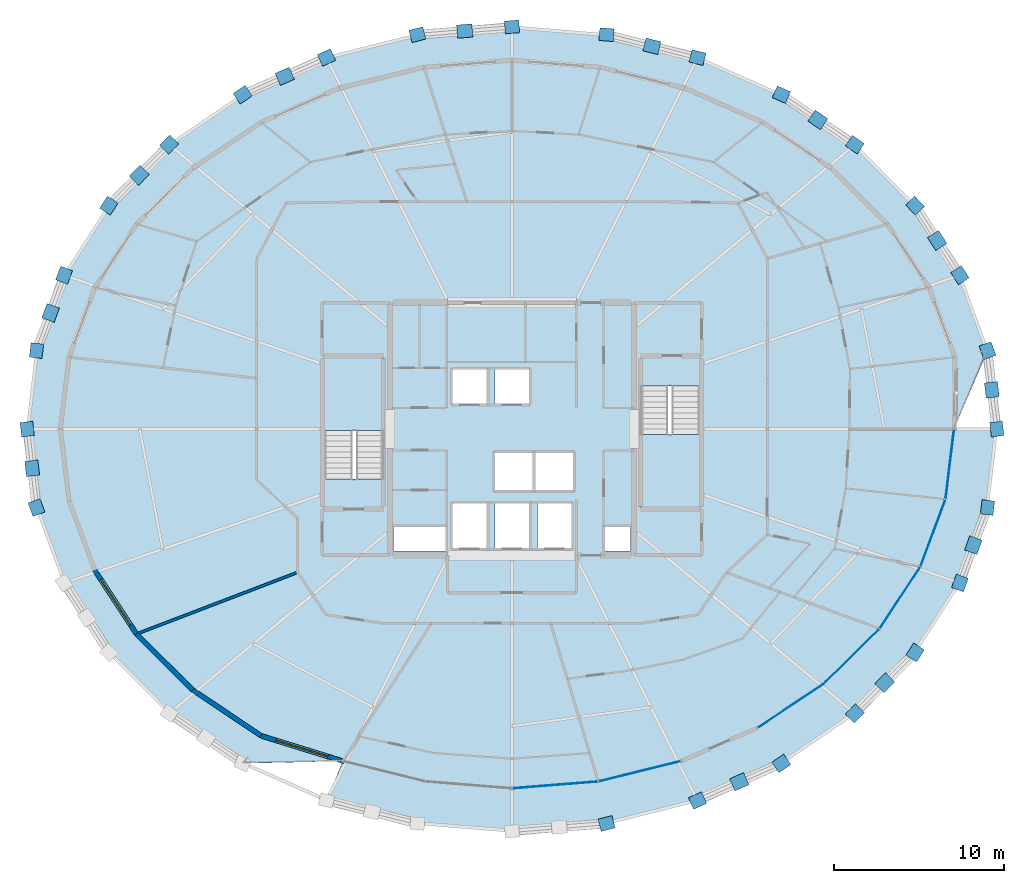
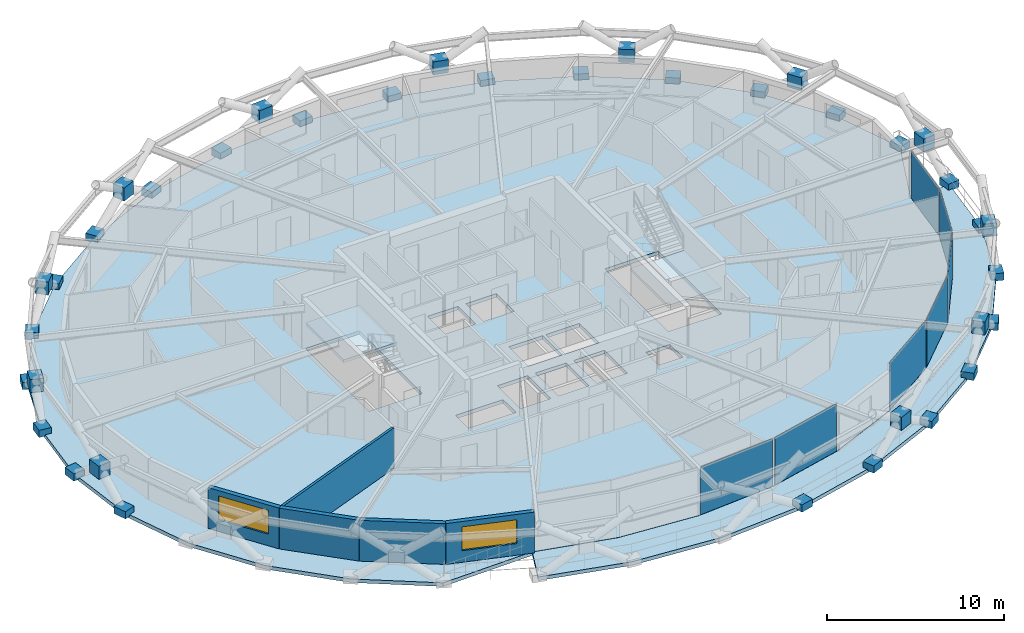
# One storey, part 13 of 21: 44 plates, 5 walls, 4 slabs, 2 windows, 2 openings, 4 elements without a shape of their own.
"""IFC4 building model written with IfcOpenShell, lengths in metres."""

import ifcopenshell
import ifcopenshell.guid

model = None  # the IFC model being written
_history = None  # IfcOwnerHistory: only IFC2X3 demands one
_inside = {}  # id of a spatial element -> (the spatial element, [elements in it])
_under = {}  # id of a project, library or spatial element -> (it, [spatial elements below it])
_declared = {}  # id of a project -> (the project, [libraries it declares])
_typed = {}  # id of a type object -> (the type object, [elements of that type])
_made_of = {}  # id of a material, layer set ... -> (it, [elements and type objects made of it])


def new_model(schema):
    """Start an empty IFC model of exactly this schema.

    Asked for "IFC4X3", IfcOpenShell would pick the latest addendum, in which some entities
    have other attributes; the version numbers below select the first issue.
    IFC2X3 requires an IfcOwnerHistory on every rooted entity: one is made here for all.
    """
    global model, _history
    if schema == "IFC4X3":
        model = ifcopenshell.file(schema_version=(4, 3, 0, 0))
    else:
        model = ifcopenshell.file(schema=schema)
    _inside.clear()
    _under.clear()
    _declared.clear()
    _typed.clear()
    _made_of.clear()
    _history = None
    if model.schema == "IFC2X3":
        org = make("IfcOrganization", Name="unknown")
        user = make(
            "IfcPersonAndOrganization",
            ThePerson=make("IfcPerson", FamilyName="unknown"),
            TheOrganization=org,
        )
        app = make(
            "IfcApplication",
            ApplicationDeveloper=org,
            Version="unknown",
            ApplicationFullName="unknown",
            ApplicationIdentifier="unknown",
        )
        _history = make(
            "IfcOwnerHistory",
            OwningUser=user,
            OwningApplication=app,
            ChangeAction="ADDED",
            CreationDate=0,
        )
    return model


def make(cls, **values):
    """One entity of the class cls with the attributes given. An attribute that is None is left unset."""
    return model.create_entity(
        cls, **{name: value for name, value in values.items() if value is not None}
    )


def rooted(cls, **values):
    """An entity with a GlobalId (a new one), such as an element, a storey or a relation."""
    return make(cls, GlobalId=ifcopenshell.guid.new(), OwnerHistory=_history, **values)


def si_unit(unit_type, name, prefix=None):
    """IfcSIUnit, for example si_unit("LENGTHUNIT", "METRE", prefix="MILLI")."""
    return make("IfcSIUnit", UnitType=unit_type, Prefix=prefix, Name=name)


def assignment(units):
    """IfcUnitAssignment: the units of a project."""
    return None if units is None else make("IfcUnitAssignment", Units=units)


def point(xyz):
    """IfcCartesianPoint."""
    return None if xyz is None else make("IfcCartesianPoint", Coordinates=xyz)


def direction(xyz):
    """IfcDirection."""
    return None if xyz is None else make("IfcDirection", DirectionRatios=xyz)


def frame(location, z_axis=None, x_axis=None):
    """IfcAxis2Placement3D, a coordinate frame: its origin and axes. An axis left out is left unset."""
    return make(
        "IfcAxis2Placement3D",
        Location=point(location),
        Axis=direction(z_axis),
        RefDirection=direction(x_axis),
    )


def frame_2d(location, x_axis=None):
    """IfcAxis2Placement2D, a coordinate frame in the plane: its origin and x axis."""
    return make(
        "IfcAxis2Placement2D", Location=point(location), RefDirection=direction(x_axis)
    )


def origin():
    """The frame at (0, 0, 0) with its axes left unset."""
    return frame((0.0, 0.0, 0.0))


def origin_2d():
    """The frame at (0, 0) in the plane with its x axis left unset."""
    return frame_2d((0.0, 0.0))


def place(relative_to, where):
    """IfcLocalPlacement: puts the frame where relative to a parent placement (None: the world)."""
    return make(
        "IfcLocalPlacement", PlacementRelTo=relative_to, RelativePlacement=where
    )


def context(
    kind, dimensions, precision=None, world=None, true_north=None, identifier=None
):
    """IfcGeometricRepresentationContext, for example the 3D "Model" context."""
    return make(
        "IfcGeometricRepresentationContext",
        ContextIdentifier=identifier,
        ContextType=kind,
        CoordinateSpaceDimension=dimensions,
        Precision=precision,
        WorldCoordinateSystem=world,
        TrueNorth=true_north,
    )


def subcontext(parent, identifier, kind, view, scale=None):
    """IfcGeometricRepresentationSubContext, for example "Body" below "Model"."""
    return make(
        "IfcGeometricRepresentationSubContext",
        ContextIdentifier=identifier,
        ContextType=kind,
        ParentContext=parent,
        TargetScale=scale,
        TargetView=view,
    )


def project(units=None, contexts=None):
    """IfcProject with its units and contexts."""
    return rooted(
        "IfcProject",
        Name="project",
        RepresentationContexts=contexts,
        UnitsInContext=assignment(units),
    )


def spatial(cls, under=None, at=None, **own):
    """A site, building, storey or space (cls), placed at a placement, below another one or the project."""
    s = rooted(cls, ObjectPlacement=at, **own)
    if under is not None:
        _under.setdefault(under.id(), (under, []))[1].append(s)
    return s


def polyline(points):
    """IfcPolyline through the points."""
    return make("IfcPolyline", Points=[point(p) for p in points])


def profile(cls, at=None, kind="AREA", **sizes):
    """A parametric profile (cls). Its sizes go by their IFC names, for example OverallWidth=200.0."""
    return make(cls, ProfileType=kind, Position=at, **sizes)


def rectangle(**sizes):
    """IfcRectangleProfileDef."""
    return profile("IfcRectangleProfileDef", **sizes)


def outline(outer, holes=None, kind="AREA"):
    """IfcArbitraryClosedProfileDef: a profile drawn as a closed curve; with holes, ...WithVoids."""
    if holes is None:
        return make("IfcArbitraryClosedProfileDef", ProfileType=kind, OuterCurve=outer)
    return make(
        "IfcArbitraryProfileDefWithVoids",
        ProfileType=kind,
        OuterCurve=outer,
        InnerCurves=holes,
    )


def extrude(swept, where, along, depth):
    """IfcExtrudedAreaSolid: the profile swept, set in the frame where, extruded along a direction by depth."""
    return make(
        "IfcExtrudedAreaSolid",
        SweptArea=swept,
        Position=where,
        ExtrudedDirection=direction(along),
        Depth=depth,
    )


def shape(context_of_items, identifier, shape_type, items):
    """IfcShapeRepresentation: the items that make up one representation, for example the "Body"."""
    return make(
        "IfcShapeRepresentation",
        ContextOfItems=context_of_items,
        RepresentationIdentifier=identifier,
        RepresentationType=shape_type,
        Items=items,
    )


def material(Name=None, Category=None):
    """IfcMaterial."""
    return make("IfcMaterial", Name=Name, Category=Category)


def layer(
    of_material, thickness, ventilated=None, Name=None, Category=None, Priority=None
):
    """IfcMaterialLayer: one layer of a wall or slab, of a material (None: an air gap)."""
    return make(
        "IfcMaterialLayer",
        Material=of_material,
        LayerThickness=thickness,
        IsVentilated=ventilated,
        Name=Name,
        Category=Category,
        Priority=Priority,
    )


def layer_set(layers, Name=None):
    """IfcMaterialLayerSet."""
    return make("IfcMaterialLayerSet", MaterialLayers=layers, LayerSetName=Name)


def made_of(thing, what):
    """Note that an element or type object is made of a material, layer set ...; save() writes the relation."""
    if what is not None:
        _made_of.setdefault(what.id(), (what, []))[1].append(thing)
    return thing


def type_object(cls, material=None, **own):
    """A type object (cls), such as IfcWallType, which elements share."""
    return made_of(rooted(cls, **own), material)


def element(
    cls,
    number,
    at=None,
    inside=None,
    cuts=None,
    type_object=None,
    material=None,
    context=None,
    identifier="Body",
    shape_type=None,
    held_by="IfcProductDefinitionShape",
    body=None,
    shapes=None,
    **own,
):
    """One element of the class cls, such as IfcWall. Its Tag is "e" and its number.

    at: its placement. inside: the storey or other place that contains it. cuts: it is an
    opening in that element (IfcRelVoidsElement). A single representation is given by context,
    identifier, shape_type and body (its items); several are given by shapes. held_by: the class
    of the entity that holds the representations. save() writes the other relations.
    """
    e = rooted(cls, Tag="e%d" % number, ObjectPlacement=at, **own)
    if body is not None:
        shapes = [shape(context, identifier, shape_type, body)]
    if shapes is not None:
        e.Representation = make(held_by, Representations=shapes)
    if inside is not None:
        _inside.setdefault(inside.id(), (inside, []))[1].append(e)
    if cuts is not None:
        rooted(
            "IfcRelVoidsElement", RelatingBuildingElement=cuts, RelatedOpeningElement=e
        )
    if type_object is not None:
        _typed.setdefault(type_object.id(), (type_object, []))[1].append(e)
    return made_of(e, material)


def fill(opening, filler):
    """IfcRelFillsElement: the door or window that sits in an opening."""
    return rooted(
        "IfcRelFillsElement",
        RelatingOpeningElement=opening,
        RelatedBuildingElement=filler,
    )


def aggregate(whole, parts):
    """IfcRelAggregates: a whole, such as a stair, and the parts it consists of."""
    return rooted("IfcRelAggregates", RelatingObject=whole, RelatedObjects=parts)


def save(model, path):
    """Write the relations noted so far, then the file.

    IfcRelAggregates (storeys below a building ...), IfcRelContainedInSpatialStructure (elements
    in a storey), IfcRelDefinesByType, IfcRelAssociatesMaterial and IfcRelDeclares: one each for
    every whole, place, type object, material and project.
    """
    for whole, parts in _under.values():
        aggregate(whole, parts)
    for where, things in _inside.values():
        rooted(
            "IfcRelContainedInSpatialStructure",
            RelatedElements=things,
            RelatingStructure=where,
        )
    for kind, things in _typed.values():
        rooted("IfcRelDefinesByType", RelatedObjects=things, RelatingType=kind)
    for what, things in _made_of.values():
        rooted("IfcRelAssociatesMaterial", RelatedObjects=things, RelatingMaterial=what)
    for by, libraries in _declared.values():
        rooted("IfcRelDeclares", RelatingContext=by, RelatedDefinitions=libraries)
    model.write(path)


model = new_model("IFC4")

# Units and contexts
model_context = context("Model", 3, precision=1e-05, world=origin(), true_north=direction((0.0, 1.0)))
body_context = subcontext(model_context, "Body", "Model", "MODEL_VIEW")
ifc_project = project(units=[si_unit("LENGTHUNIT", "METRE"), si_unit("AREAUNIT", "SQUARE_METRE"), si_unit("VOLUMEUNIT", "CUBIC_METRE"), si_unit("PLANEANGLEUNIT", "RADIAN"), si_unit("MASSUNIT", "GRAM", prefix="KILO")], contexts=[model_context])

# Site, building, storey
site_placement = place(None, origin())
site = spatial("IfcSite", under=ifc_project, at=site_placement, CompositionType="ELEMENT")
building_placement = place(site_placement, origin())
building = spatial("IfcBuilding", under=site, at=building_placement, Name="Veldorina Hangang Commons", CompositionType="ELEMENT")
storey_placement = place(building_placement, frame((0.0, 0.0, 128.0)))
storey = spatial("IfcBuildingStorey", under=building, at=storey_placement, Name="L32", CompositionType="ELEMENT", Elevation=128.0)

# Curtain wall, plates
ifc_material_1 = material(Name="Glass Low-E Triple IGU", Category="glass")
ifc_layer_1 = layer(ifc_material_1, 0.179931640625)
ifc_layer_set_1 = layer_set([ifc_layer_1], Name="Glass Low-E Triple IGU")
curtain_wall_type = type_object("IfcCurtainWallType", Name="CW-SYS-Z2", PredefinedType="NOTDEFINED", material=ifc_layer_set_1)
curtain_wall_1_placement = place(storey_placement, origin())
curtain_wall_1 = element("IfcCurtainWall", 1, at=curtain_wall_1_placement, inside=storey, type_object=curtain_wall_type, Name="L32 unitised curtain wall CW-L32-R1", PredefinedType="NOTDEFINED")
ifc_layer_2 = layer(ifc_material_1, 0.0400390625)
ifc_layer_set_2 = layer_set([ifc_layer_2], Name="Glass Low-E Triple IGU")
plate_type_1 = type_object("IfcPlateType", Name="CW-PNL-VIS", PredefinedType="CURTAIN_PANEL", material=ifc_layer_set_2)
plate_1_placement = place(storey_placement, frame((34.54248046875, 3.013671875, 0.01513671875), z_axis=(0.0, 0.0, 1.0), x_axis=(0.996809599152, 0.079816182813, 0.0)))
plate_1 = element("IfcPlate", 2, at=plate_1_placement, type_object=plate_type_1, Name="CW-L32-R1 facet 3 glazed vision panel", PredefinedType="CURTAIN_PANEL", context=body_context, shape_type="SweptSolid", body=[
    extrude(rectangle(XDim=4.92138671875, YDim=0.0400390625, at=origin_2d()), origin(), (0.0, 0.0, 1.0), 3.280029296875),
])
plate_2_placement = place(storey_placement, frame((39.52978515625, 3.8203125, 0.01513671875), z_axis=(0.0, 0.0, 1.0), x_axis=(0.970913215163, 0.239431678403, 0.0)))
plate_2 = element("IfcPlate", 3, at=plate_2_placement, type_object=plate_type_1, Name="CW-L32-R1 facet 4 glazed vision panel", PredefinedType="CURTAIN_PANEL", context=body_context, shape_type="SweptSolid", body=[
    extrude(rectangle(XDim=4.856201171875, YDim=0.0400390625, at=origin_2d()), origin(), (0.0, 0.0, 1.0), 3.280029296875),
])
aggregate(curtain_wall_1, [plate_1, plate_2])

curtain_wall_2_placement = place(storey_placement, origin())
curtain_wall_2 = element("IfcCurtainWall", 4, at=curtain_wall_2_placement, inside=storey, type_object=curtain_wall_type, Name="L32 unitised curtain wall CW-L32-R2", PredefinedType="NOTDEFINED")
plate_3_placement = place(storey_placement, frame((48.456298828125, 7.698974609375, 0.01513671875), z_axis=(0.0, 0.0, 1.0), x_axis=(0.831857270839, 0.554989622383, 0.0)))
plate_3 = element("IfcPlate", 5, at=plate_3_placement, type_object=plate_type_1, Name="CW-L32-R2 facet 1 glazed vision panel", PredefinedType="CURTAIN_PANEL", context=body_context, shape_type="SweptSolid", body=[
    extrude(rectangle(XDim=4.568359375, YDim=0.0400390625, at=origin_2d()), origin(), (0.0, 0.0, 1.0), 3.280029296875),
])
plate_4_placement = place(storey_placement, frame((52.052001953125, 10.6220703125, 0.01513671875), z_axis=(0.0, 0.0, 1.0), x_axis=(0.710455645512, 0.703741980956, 0.0)))
plate_4 = element("IfcPlate", 6, at=plate_4_placement, type_object=plate_type_1, Name="CW-L32-R2 facet 2 glazed vision panel", PredefinedType="CURTAIN_PANEL", context=body_context, shape_type="SweptSolid", body=[
    extrude(rectangle(XDim=4.3828125, YDim=0.0400390625, at=origin_2d()), origin(), (0.0, 0.0, 1.0), 3.280029296875),
])
plate_5_placement = place(storey_placement, frame((54.876953125, 14.05908203125, 0.01513671875), z_axis=(0.0, 0.0, 1.0), x_axis=(0.549372871991, 0.83557731391, 0.0)))
plate_5 = element("IfcPlate", 7, at=plate_5_placement, type_object=plate_type_1, Name="CW-L32-R2 facet 3 glazed vision panel", PredefinedType="CURTAIN_PANEL", context=body_context, shape_type="SweptSolid", body=[
    extrude(rectangle(XDim=4.204345703125, YDim=0.0400390625, at=origin_2d()), origin(), (0.0, 0.0, 1.0), 3.280029296875),
])
plate_6_placement = place(storey_placement, frame((56.822998046875, 17.878662109375, 0.01513671875), z_axis=(0.0, 0.0, 1.0), x_axis=(0.349602431772, 0.936898147986, 0.0)))
plate_6 = element("IfcPlate", 8, at=plate_6_placement, type_object=plate_type_1, Name="CW-L32-R2 facet 4 glazed vision panel", PredefinedType="CURTAIN_PANEL", context=body_context, shape_type="SweptSolid", body=[
    extrude(rectangle(XDim=4.062744140625, YDim=0.0400390625, at=origin_2d()), origin(), (0.0, 0.0, 1.0), 3.280029296875),
])
plate_7_placement = place(storey_placement, frame((57.815185546875, 21.93310546875, 0.01513671875), z_axis=(0.0, 0.0, 1.0), x_axis=(0.120258126128, 0.992742657037, 0.0)))
plate_7 = element("IfcPlate", 9, at=plate_7_placement, type_object=plate_type_1, Name="CW-L32-R2 facet 5 glazed vision panel", PredefinedType="CURTAIN_PANEL", context=body_context, shape_type="SweptSolid", body=[
    extrude(rectangle(XDim=3.984130859375, YDim=0.0400390625, at=origin_2d()), origin(), (0.0, 0.0, 1.0), 3.280029296875),
])
aggregate(curtain_wall_2, [plate_3, plate_4, plate_5, plate_6, plate_7])

# Plates
ifc_material_2 = material(Name="Steel SM460-TMC", Category="steel")
ifc_layer_3 = layer(ifc_material_2, 0.035888671875)
ifc_layer_set_3 = layer_set([ifc_layer_3], Name="Steel SM460-TMC")
plate_type_2 = type_object("IfcPlateType", Name="PL-STAR-36", PredefinedType="USERDEFINED", material=ifc_layer_set_3)
plate_8_placement = place(storey_placement, frame((60.58544921875, 24.0, -0.090087890625), z_axis=(0.0, 0.0, 1.0), x_axis=(-0.117918699698, 0.993023252629, 0.0)))
element("IfcPlate", 10, at=plate_8_placement, inside=storey, type_object=plate_type_2, Name="L32 diagrid star-node gusset plate 00", ObjectType="GUSSET PLATE", PredefinedType="USERDEFINED", context=body_context, shape_type="SweptSolid", body=[
    extrude(rectangle(XDim=0.85009765625, YDim=0.75, at=origin_2d()), origin(), (0.0, 0.0, 1.0), 0.5),
])
plate_9_placement = place(storey_placement, frame((60.290283203125, 26.311279296875, 1.35107421875), z_axis=(0.0, 0.0, 1.0), x_axis=(-0.117918699698, 0.993023252629, 0.0)))
element("IfcPlate", 11, at=plate_9_placement, inside=storey, type_object=plate_type_2, Name="L32 diagrid X-crossing star-node gusset plate 00", ObjectType="GUSSET PLATE", PredefinedType="USERDEFINED", context=body_context, shape_type="SweptSolid", body=[
    extrude(rectangle(XDim=0.89990234375, YDim=0.780029296875, at=origin_2d()), origin(), (0.0, 0.0, 1.0), 0.89990234375),
])
for number, where, z_axis, x_axis, name in (
    (12, (60.0361328125, 28.62548828125, -0.090087890625), (0.0, 0.0, 1.0), (-0.34346300361, 0.939166207416, 0.0), "L32 diagrid star-node gusset plate 01"),
    (13, (58.40966796875, 33.073486328125, -0.090087890625), (0.0, 0.0, 1.0), (-0.541693539545, 0.84057605796, 0.0), "L32 diagrid star-node gusset plate 02"),
):
    element("IfcPlate", number, at=place(storey_placement, frame(where, z_axis=z_axis, x_axis=x_axis)), inside=storey, type_object=plate_type_2, Name=name, ObjectType="GUSSET PLATE", PredefinedType="USERDEFINED", context=body_context, shape_type="SweptSolid", body=[
        extrude(rectangle(XDim=0.85009765625, YDim=0.75, at=origin_2d()), origin(), (0.0, 0.0, 1.0), 0.5),
    ])
plate_10_placement = place(storey_placement, frame((57.070556640625, 35.1162109375, 1.351318359375), z_axis=(0.0, 0.0, 1.0), x_axis=(-0.541693539545, 0.84057605796, 0.0)))
element("IfcPlate", 14, at=plate_10_placement, inside=storey, type_object=plate_type_2, Name="L32 diagrid X-crossing star-node gusset plate 02", ObjectType="GUSSET PLATE", PredefinedType="USERDEFINED", context=body_context, shape_type="SweptSolid", body=[
    extrude(rectangle(XDim=0.89990234375, YDim=0.780029296875, at=origin_2d()), origin(), (0.0, 0.0, 1.0), 0.89990234375),
])
for number, where, z_axis, x_axis, name in (
    (15, (55.76806640625, 37.172607421875, -0.090087890625), (0.0, 0.0, 1.0), (-0.703345077932, 0.710848578355, 0.0), "L32 diagrid star-node gusset plate 03"),
    (16, (52.212890625, 40.765380859375, -0.090087890625), (0.0, 0.0, 1.0), (-0.826648681389, 0.562718364333, 0.0), "L32 diagrid star-node gusset plate 04"),
):
    element("IfcPlate", number, at=place(storey_placement, frame(where, z_axis=z_axis, x_axis=x_axis)), inside=storey, type_object=plate_type_2, Name=name, ObjectType="GUSSET PLATE", PredefinedType="USERDEFINED", context=body_context, shape_type="SweptSolid", body=[
        extrude(rectangle(XDim=0.85009765625, YDim=0.75, at=origin_2d()), origin(), (0.0, 0.0, 1.0), 0.5),
    ])
plate_11_placement = place(storey_placement, frame((50.033935546875, 42.228515625, 1.351318359375), z_axis=(0.0, 0.0, 1.0), x_axis=(-0.826648681389, 0.562718364333, 0.0)))
element("IfcPlate", 17, at=plate_11_placement, inside=storey, type_object=plate_type_2, Name="L32 diagrid X-crossing star-node gusset plate 04", ObjectType="GUSSET PLATE", PredefinedType="USERDEFINED", context=body_context, shape_type="SweptSolid", body=[
    extrude(rectangle(XDim=0.89990234375, YDim=0.780029296875, at=origin_2d()), origin(), (0.0, 0.0, 1.0), 0.89990234375),
])
for number, where, z_axis, x_axis, name in (
    (18, (47.88134765625, 43.714111328125, -0.090087890625), (0.0, 0.0, 1.0), (-0.914190304464, 0.405285192457, 0.0), "L32 diagrid star-node gusset plate 05"),
    (19, (42.939208984375, 45.905029296875, -0.090087890625), (0.0, 0.0, 1.0), (-0.96977414381, 0.244004323727, 0.0), "L32 diagrid star-node gusset plate 06"),
):
    element("IfcPlate", number, at=place(storey_placement, frame(where, z_axis=z_axis, x_axis=x_axis)), inside=storey, type_object=plate_type_2, Name=name, ObjectType="GUSSET PLATE", PredefinedType="USERDEFINED", context=body_context, shape_type="SweptSolid", body=[
        extrude(rectangle(XDim=0.85009765625, YDim=0.75, at=origin_2d()), origin(), (0.0, 0.0, 1.0), 0.5),
    ])
plate_12_placement = place(storey_placement, frame((40.251953125, 46.56591796875, 1.351318359375), z_axis=(0.0, 0.0, 1.0), x_axis=(-0.96977414381, 0.244004323727, 0.0)))
element("IfcPlate", 20, at=plate_12_placement, inside=storey, type_object=plate_type_2, Name="L32 diagrid X-crossing star-node gusset plate 06", ObjectType="GUSSET PLATE", PredefinedType="USERDEFINED", context=body_context, shape_type="SweptSolid", body=[
    extrude(rectangle(XDim=0.89990234375, YDim=0.780029296875, at=origin_2d()), origin(), (0.0, 0.0, 1.0), 0.89990234375),
])
for number, where, z_axis, x_axis, name in (
    (21, (37.576904296875, 47.25439453125, -0.090087890625), (0.0, 0.0, 1.0), (-0.996680153102, 0.081416659306, 0.0), "L32 diagrid star-node gusset plate 07"),
    (22, (32.0, 47.7099609375, -0.090087890625), (0.0, 0.0, 1.0), (-0.996680153102, -0.081416659306, 0.0), "L32 diagrid star-node gusset plate 08"),
):
    element("IfcPlate", number, at=place(storey_placement, frame(where, z_axis=z_axis, x_axis=x_axis)), inside=storey, type_object=plate_type_2, Name=name, ObjectType="GUSSET PLATE", PredefinedType="USERDEFINED", context=body_context, shape_type="SweptSolid", body=[
        extrude(rectangle(XDim=0.85009765625, YDim=0.75, at=origin_2d()), origin(), (0.0, 0.0, 1.0), 0.5),
    ])
plate_13_placement = place(storey_placement, frame((29.213623046875, 47.467529296875, 1.351318359375), z_axis=(0.0, 0.0, 1.0), x_axis=(-0.996680153102, -0.081416659306, 0.0)))
element("IfcPlate", 23, at=plate_13_placement, inside=storey, type_object=plate_type_2, Name="L32 diagrid X-crossing star-node gusset plate 08", ObjectType="GUSSET PLATE", PredefinedType="USERDEFINED", context=body_context, shape_type="SweptSolid", body=[
    extrude(rectangle(XDim=0.89990234375, YDim=0.780029296875, at=origin_2d()), origin(), (0.0, 0.0, 1.0), 0.89990234375),
])
for number, where, z_axis, x_axis, name in (
    (24, (26.423095703125, 47.25439453125, -0.090087890625), (0.0, 0.0, 1.0), (-0.96977414381, -0.244004323727, 0.0), "L32 diagrid star-node gusset plate 09"),
    (25, (21.060791015625, 45.905029296875, -0.090087890625), (0.0, 0.0, 1.0), (-0.914190304464, -0.405285192457, 0.0), "L32 diagrid star-node gusset plate 10"),
):
    element("IfcPlate", number, at=place(storey_placement, frame(where, z_axis=z_axis, x_axis=x_axis)), inside=storey, type_object=plate_type_2, Name=name, ObjectType="GUSSET PLATE", PredefinedType="USERDEFINED", context=body_context, shape_type="SweptSolid", body=[
        extrude(rectangle(XDim=0.85009765625, YDim=0.75, at=origin_2d()), origin(), (0.0, 0.0, 1.0), 0.5),
    ])
plate_14_placement = place(storey_placement, frame((18.599609375, 44.796630859375, 1.351318359375), z_axis=(0.0, 0.0, 1.0), x_axis=(-0.914190304464, -0.405285192457, 0.0)))
element("IfcPlate", 26, at=plate_14_placement, inside=storey, type_object=plate_type_2, Name="L32 diagrid X-crossing star-node gusset plate 10", ObjectType="GUSSET PLATE", PredefinedType="USERDEFINED", context=body_context, shape_type="SweptSolid", body=[
    extrude(rectangle(XDim=0.89990234375, YDim=0.780029296875, at=origin_2d()), origin(), (0.0, 0.0, 1.0), 0.89990234375),
])
for number, where, z_axis, x_axis, name in (
    (27, (16.11865234375, 43.714111328125, -0.090087890625), (0.0, 0.0, 1.0), (-0.826648681389, -0.562718364333, 0.0), "L32 diagrid star-node gusset plate 11"),
    (28, (11.787109375, 40.765380859375, -0.090087890625), (0.0, 0.0, 1.0), (-0.703345077932, -0.710848578355, 0.0), "L32 diagrid star-node gusset plate 12"),
):
    element("IfcPlate", number, at=place(storey_placement, frame(where, z_axis=z_axis, x_axis=x_axis)), inside=storey, type_object=plate_type_2, Name=name, ObjectType="GUSSET PLATE", PredefinedType="USERDEFINED", context=body_context, shape_type="SweptSolid", body=[
        extrude(rectangle(XDim=0.85009765625, YDim=0.75, at=origin_2d()), origin(), (0.0, 0.0, 1.0), 0.5),
    ])
plate_15_placement = place(storey_placement, frame((10.025634765625, 38.959716796875, 1.351318359375), z_axis=(0.0, 0.0, 1.0), x_axis=(-0.703345077932, -0.710848578355, 0.0)))
element("IfcPlate", 29, at=plate_15_placement, inside=storey, type_object=plate_type_2, Name="L32 diagrid X-crossing star-node gusset plate 12", ObjectType="GUSSET PLATE", PredefinedType="USERDEFINED", context=body_context, shape_type="SweptSolid", body=[
    extrude(rectangle(XDim=0.89990234375, YDim=0.780029296875, at=origin_2d()), origin(), (0.0, 0.0, 1.0), 0.89990234375),
])
for number, where, z_axis, x_axis, name in (
    (30, (8.23193359375, 37.172607421875, -0.090087890625), (0.0, 0.0, 1.0), (-0.541693539545, -0.84057605796, 0.0), "L32 diagrid star-node gusset plate 13"),
    (31, (5.59033203125, 33.073486328125, -0.090087890625), (0.0, 0.0, 1.0), (-0.34346300361, -0.939166207416, 0.0), "L32 diagrid star-node gusset plate 14"),
):
    element("IfcPlate", number, at=place(storey_placement, frame(where, z_axis=z_axis, x_axis=x_axis)), inside=storey, type_object=plate_type_2, Name=name, ObjectType="GUSSET PLATE", PredefinedType="USERDEFINED", context=body_context, shape_type="SweptSolid", body=[
        extrude(rectangle(XDim=0.85009765625, YDim=0.75, at=origin_2d()), origin(), (0.0, 0.0, 1.0), 0.5),
    ])
plate_16_placement = place(storey_placement, frame((4.797119140625, 30.84521484375, 1.35107421875), z_axis=(0.0, 0.0, 1.0), x_axis=(-0.34346300361, -0.939166207416, 0.0)))
element("IfcPlate", 32, at=plate_16_placement, inside=storey, type_object=plate_type_2, Name="L32 diagrid X-crossing star-node gusset plate 14", ObjectType="GUSSET PLATE", PredefinedType="USERDEFINED", context=body_context, shape_type="SweptSolid", body=[
    extrude(rectangle(XDim=0.89990234375, YDim=0.780029296875, at=origin_2d()), origin(), (0.0, 0.0, 1.0), 0.89990234375),
])
for number, where, z_axis, x_axis, name in (
    (33, (3.9638671875, 28.62548828125, -0.090087890625), (0.0, 0.0, 1.0), (-0.117918699698, -0.993023252629, 0.0), "L32 diagrid star-node gusset plate 15"),
    (34, (3.41455078125, 24.0, -0.090087890625), (0.0, 0.0, 1.0), (0.117918699698, -0.993023252629, 0.0), "L32 diagrid star-node gusset plate 16"),
):
    element("IfcPlate", number, at=place(storey_placement, frame(where, z_axis=z_axis, x_axis=x_axis)), inside=storey, type_object=plate_type_2, Name=name, ObjectType="GUSSET PLATE", PredefinedType="USERDEFINED", context=body_context, shape_type="SweptSolid", body=[
        extrude(rectangle(XDim=0.85009765625, YDim=0.75, at=origin_2d()), origin(), (0.0, 0.0, 1.0), 0.5),
    ])
plate_17_placement = place(storey_placement, frame((3.709716796875, 21.688720703125, 1.35107421875), z_axis=(0.0, 0.0, 1.0), x_axis=(0.117918699698, -0.993023252629, 0.0)))
element("IfcPlate", 35, at=plate_17_placement, inside=storey, type_object=plate_type_2, Name="L32 diagrid X-crossing star-node gusset plate 16", ObjectType="GUSSET PLATE", PredefinedType="USERDEFINED", context=body_context, shape_type="SweptSolid", body=[
    extrude(rectangle(XDim=0.89990234375, YDim=0.780029296875, at=origin_2d()), origin(), (0.0, 0.0, 1.0), 0.89990234375),
])
for number, where, z_axis, x_axis, name in (
    (36, (3.9638671875, 19.37451171875, -0.090087890625), (0.0, 0.0, 1.0), (0.34346300361, -0.939166207416, 0.0), "L32 diagrid star-node gusset plate 17"),
    (37, (37.576904296875, 0.74560546875, -0.090087890625), (0.0, 0.0, 1.0), (0.96977414381, 0.244004323727, 0.0), "L32 diagrid star-node gusset plate 25"),
    (38, (42.939208984375, 2.094970703125, -0.090087890625), (0.0, 0.0, 1.0), (0.914190304464, 0.405285192457, 0.0), "L32 diagrid star-node gusset plate 26"),
):
    element("IfcPlate", number, at=place(storey_placement, frame(where, z_axis=z_axis, x_axis=x_axis)), inside=storey, type_object=plate_type_2, Name=name, ObjectType="GUSSET PLATE", PredefinedType="USERDEFINED", context=body_context, shape_type="SweptSolid", body=[
        extrude(rectangle(XDim=0.85009765625, YDim=0.75, at=origin_2d()), origin(), (0.0, 0.0, 1.0), 0.5),
    ])
plate_18_placement = place(storey_placement, frame((45.400390625, 3.203369140625, 1.351318359375), z_axis=(0.0, 0.0, 1.0), x_axis=(0.914190304464, 0.405285192457, 0.0)))
element("IfcPlate", 39, at=plate_18_placement, inside=storey, type_object=plate_type_2, Name="L32 diagrid X-crossing star-node gusset plate 26", ObjectType="GUSSET PLATE", PredefinedType="USERDEFINED", context=body_context, shape_type="SweptSolid", body=[
    extrude(rectangle(XDim=0.89990234375, YDim=0.780029296875, at=origin_2d()), origin(), (0.0, 0.0, 1.0), 0.89990234375),
])
for number, where, z_axis, x_axis, name in (
    (40, (47.88134765625, 4.285888671875, -0.090087890625), (0.0, 0.0, 1.0), (0.826648681389, 0.562718364333, 0.0), "L32 diagrid star-node gusset plate 27"),
    (41, (52.212890625, 7.234619140625, -0.090087890625), (0.0, 0.0, 1.0), (0.703345077932, 0.710848578355, 0.0), "L32 diagrid star-node gusset plate 28"),
):
    element("IfcPlate", number, at=place(storey_placement, frame(where, z_axis=z_axis, x_axis=x_axis)), inside=storey, type_object=plate_type_2, Name=name, ObjectType="GUSSET PLATE", PredefinedType="USERDEFINED", context=body_context, shape_type="SweptSolid", body=[
        extrude(rectangle(XDim=0.85009765625, YDim=0.75, at=origin_2d()), origin(), (0.0, 0.0, 1.0), 0.5),
    ])
plate_19_placement = place(storey_placement, frame((53.974365234375, 9.040283203125, 1.351318359375), z_axis=(0.0, 0.0, 1.0), x_axis=(0.703345077932, 0.710848578355, 0.0)))
element("IfcPlate", 42, at=plate_19_placement, inside=storey, type_object=plate_type_2, Name="L32 diagrid X-crossing star-node gusset plate 28", ObjectType="GUSSET PLATE", PredefinedType="USERDEFINED", context=body_context, shape_type="SweptSolid", body=[
    extrude(rectangle(XDim=0.89990234375, YDim=0.780029296875, at=origin_2d()), origin(), (0.0, 0.0, 1.0), 0.89990234375),
])
for number, where, z_axis, x_axis, name in (
    (43, (55.76806640625, 10.827392578125, -0.090087890625), (0.0, 0.0, 1.0), (0.541693539545, 0.84057605796, 0.0), "L32 diagrid star-node gusset plate 29"),
    (44, (58.40966796875, 14.926513671875, -0.090087890625), (0.0, 0.0, 1.0), (0.34346300361, 0.939166207416, 0.0), "L32 diagrid star-node gusset plate 30"),
):
    element("IfcPlate", number, at=place(storey_placement, frame(where, z_axis=z_axis, x_axis=x_axis)), inside=storey, type_object=plate_type_2, Name=name, ObjectType="GUSSET PLATE", PredefinedType="USERDEFINED", context=body_context, shape_type="SweptSolid", body=[
        extrude(rectangle(XDim=0.85009765625, YDim=0.75, at=origin_2d()), origin(), (0.0, 0.0, 1.0), 0.5),
    ])
plate_20_placement = place(storey_placement, frame((59.202880859375, 17.15478515625, 1.35107421875), z_axis=(0.0, 0.0, 1.0), x_axis=(0.34346300361, 0.939166207416, 0.0)))
element("IfcPlate", 45, at=plate_20_placement, inside=storey, type_object=plate_type_2, Name="L32 diagrid X-crossing star-node gusset plate 30", ObjectType="GUSSET PLATE", PredefinedType="USERDEFINED", context=body_context, shape_type="SweptSolid", body=[
    extrude(rectangle(XDim=0.89990234375, YDim=0.780029296875, at=origin_2d()), origin(), (0.0, 0.0, 1.0), 0.89990234375),
])
plate_21_placement = place(storey_placement, frame((60.0361328125, 19.37451171875, -0.090087890625), z_axis=(0.0, 0.0, 1.0), x_axis=(0.117918699698, 0.993023252629, 0.0)))
element("IfcPlate", 46, at=plate_21_placement, inside=storey, type_object=plate_type_2, Name="L32 diagrid star-node gusset plate 31", ObjectType="GUSSET PLATE", PredefinedType="USERDEFINED", context=body_context, shape_type="SweptSolid", body=[
    extrude(rectangle(XDim=0.85009765625, YDim=0.75, at=origin_2d()), origin(), (0.0, 0.0, 1.0), 0.5),
])

# Slabs
ifc_material_3 = material(Name="Concrete C40/50", Category="concrete")
ifc_layer_4 = layer(ifc_material_3, 0.25)
ifc_layer_set_4 = layer_set([ifc_layer_4], Name="Concrete C40/50")
slab_type_1 = type_object("IfcSlabType", Name="SL-FLR-250", PredefinedType="FLOOR", material=ifc_layer_set_4)
slab_1_placement = place(storey_placement, frame((0.0, 0.0, -0.25)))
element("IfcSlab", 47, at=slab_1_placement, inside=storey, type_object=slab_type_1, Name="L32 tower structural floor slab", PredefinedType="FLOOR", context=body_context, shape_type="SweptSolid", body=[
    extrude(outline(polyline([(58.0654296875, 24.0), (60.0361328125, 28.62548828125), (58.40966796875, 33.073486328125), (55.76806640625, 37.172607421875), (52.212890625, 40.765380859375), (47.88134765625, 43.714111328125), (42.939208984375, 45.905029296875), (37.576904296875, 47.25439453125), (32.0, 47.7099609375), (26.423095703125, 47.25439453125), (21.060791015625, 45.905029296875), (16.11865234375, 43.714111328125), (11.787109375, 40.765380859375), (8.23193359375, 37.172607421875), (5.59033203125, 33.073486328125), (3.9638671875, 28.62548828125), (3.41455078125, 24.0), (3.9638671875, 19.37451171875), (5.59033203125, 14.926513671875), (8.23193359375, 10.827392578125), (11.787109375, 7.234619140625), (16.11865234375, 4.285888671875), (22.025146484375, 4.423095703125), (26.914794921875, 3.21728515625), (32.0, 2.81005859375), (37.085205078125, 3.21728515625), (41.974853515625, 4.423095703125), (46.481201171875, 6.381103515625), (50.43115234375, 9.0166015625), (53.672607421875, 12.2275390625), (56.081298828125, 15.89111328125), (57.564697265625, 19.8662109375), (58.0654296875, 24.0)]), holes=[polyline([(20.949951171875, 21.05810546875), (20.949951171875, 28.199951171875), (24.449951171875, 28.199951171875), (24.449951171875, 21.05810546875), (20.949951171875, 21.05810546875)]), polyline([(43.050048828125, 26.5419921875), (43.050048828125, 19.39990234375), (39.550048828125, 19.39990234375), (39.550048828125, 26.5419921875), (43.050048828125, 26.5419921875)]), polyline([(28.5, 27.5), (30.5, 27.5), (30.5, 25.5), (28.5, 25.5), (28.5, 27.5)]), polyline([(31.0, 27.5), (33.0, 27.5), (33.0, 25.5), (31.0, 25.5), (31.0, 27.5)]), polyline([(31.0, 22.60009765625), (33.199951171875, 22.60009765625), (33.199951171875, 20.39990234375), (31.0, 20.39990234375), (31.0, 22.60009765625)]), polyline([(33.39990234375, 22.60009765625), (35.60009765625, 22.60009765625), (35.60009765625, 20.39990234375), (33.39990234375, 20.39990234375), (33.39990234375, 22.60009765625)]), polyline([(28.5, 19.60009765625), (30.5, 19.60009765625), (30.5, 17.0), (28.5, 17.0), (28.5, 19.60009765625)]), polyline([(31.0, 19.60009765625), (33.0, 19.60009765625), (33.0, 17.0), (31.0, 17.0), (31.0, 19.60009765625)]), polyline([(33.5, 19.60009765625), (35.5, 19.60009765625), (35.5, 17.0), (33.5, 17.0), (33.5, 19.60009765625)]), polyline([(25.0, 18.25), (28.10009765625, 18.25), (28.10009765625, 16.800048828125), (25.0, 16.800048828125), (25.0, 18.25)]), polyline([(37.449951171875, 18.25), (39.0, 18.25), (39.0, 16.800048828125), (37.449951171875, 16.800048828125), (37.449951171875, 18.25)])]), origin(), (0.0, 0.0, 1.0), 0.25),
])
slab_2_placement = place(storey_placement, frame((0.0, 0.0, -0.25)))
element("IfcSlab", 48, at=slab_2_placement, inside=storey, type_object=slab_type_1, Name="L32 sky-garden loggia outdoor slab", PredefinedType="FLOOR", context=body_context, shape_type="SweptSolid", body=[
    extrude(outline(polyline([(60.58544921875, 24.0), (60.0361328125, 19.37451171875), (58.40966796875, 14.926513671875), (55.76806640625, 10.827392578125), (52.212890625, 7.234619140625), (47.88134765625, 4.285888671875), (42.939208984375, 2.094970703125), (37.576904296875, 0.74560546875), (32.0, 0.2900390625), (26.423095703125, 0.74560546875), (21.060791015625, 2.094970703125), (22.018798828125, 4.407958984375), (22.0234375, 4.408203125), (26.911376953125, 3.20263671875), (26.91259765625, 3.202392578125), (26.913818359375, 3.202392578125), (31.998779296875, 2.795166015625), (32.0, 2.795166015625), (32.001220703125, 2.795166015625), (37.086181640625, 3.202392578125), (37.08740234375, 3.202392578125), (37.088623046875, 3.20263671875), (41.978515625, 4.408447265625), (41.9794921875, 4.408935546875), (41.980712890625, 4.4091796875), (46.4873046875, 6.367431640625), (46.48828125, 6.367919921875), (46.489501953125, 6.36865234375), (50.439453125, 9.00390625), (50.440673828125, 9.0048828125), (50.441650390625, 9.005859375), (53.683349609375, 12.216796875), (53.684326171875, 12.218017578125), (53.685302734375, 12.21923828125), (56.093994140625, 15.8828125), (56.0947265625, 15.88427734375), (56.095458984375, 15.8857421875), (57.578857421875, 19.86083984375), (57.579345703125, 19.862548828125), (57.57958984375, 19.8642578125), (58.080078125, 23.99609375), (58.081787109375, 24.0), (60.58544921875, 24.0)])), origin(), (0.0, 0.0, 1.0), 0.25),
])

# Stair, slab
stair_type = type_object("IfcStairType", Name="STR-DOG-1650-20R", PredefinedType="HALF_TURN_STAIR", material=ifc_material_3)
stair_1_placement = place(storey_placement, origin())
stair_1 = element("IfcStair", 49, at=stair_1_placement, inside=storey, type_object=stair_type, Name="L32 Exit stair ST-1", PredefinedType="HALF_TURN_STAIR")
ifc_layer_5 = layer(ifc_material_3, 0.199951171875)
ifc_layer_set_5 = layer_set([ifc_layer_5], Name="Concrete C40/50")
slab_type_2 = type_object("IfcSlabType", Name="SL-LND-200", PredefinedType="LANDING", material=ifc_layer_set_5)
slab_3_placement = place(storey_placement, frame((0.0, 0.0, 1.60009765625)))
slab_3 = element("IfcSlab", 50, at=slab_3_placement, type_object=slab_type_2, Name="ST-1 landing 1", PredefinedType="LANDING", context=body_context, shape_type="SweptSolid", body=[
    extrude(outline(polyline([(24.449951171875, 23.929931640625), (24.449951171875, 28.199951171875), (20.949951171875, 28.199951171875), (20.949951171875, 23.929931640625), (24.449951171875, 23.929931640625)])), origin(), (0.0, 0.0, 1.0), 0.199951171875),
])
aggregate(stair_1, [slab_3])

stair_2_placement = place(storey_placement, origin())
stair_2 = element("IfcStair", 51, at=stair_2_placement, inside=storey, type_object=stair_type, Name="L32 Exit stair ST-2", PredefinedType="HALF_TURN_STAIR")
slab_4_placement = place(storey_placement, frame((0.0, 0.0, 1.60009765625)))
slab_4 = element("IfcSlab", 52, at=slab_4_placement, type_object=slab_type_2, Name="ST-2 landing 1", PredefinedType="LANDING", context=body_context, shape_type="SweptSolid", body=[
    extrude(outline(polyline([(39.550048828125, 23.669921875), (39.550048828125, 19.39990234375), (43.050048828125, 19.39990234375), (43.050048828125, 23.669921875), (39.550048828125, 23.669921875)])), origin(), (0.0, 0.0, 1.0), 0.199951171875),
])
aggregate(stair_2, [slab_4])

# Wall, opening, window
ifc_material_4 = material(Name="Stone Roman Travertine", Category="masonry")
ifc_layer_6 = layer(ifc_material_4, 0.280029296875)
ifc_layer_set_6 = layer_set([ifc_layer_6], Name="Stone Roman Travertine")
wall_type_1 = type_object("IfcWallType", Name="EW-TRAV-280", PredefinedType="STANDARD", material=ifc_layer_set_6)
wall_1_placement = place(storey_placement, frame((7.401123046875, 15.6767578125, 0.0), z_axis=(0.0, 0.0, 1.0), x_axis=(0.547571349255, -0.836758996053, 0.0)))
wall_1 = element("IfcWall", 53, at=wall_1_placement, inside=storey, type_object=wall_type_1, Name="L32 travertine facade wall 18", PredefinedType="STANDARD", context=body_context, shape_type="SweptSolid", body=[
    extrude(rectangle(XDim=4.493896484375, YDim=0.280029296875, at=frame_2d((2.2470703125, 0.0))), origin(), (0.0, 0.0, 1.0), 2.820068359375),
])
opening_1_placement = place(wall_1_placement, frame((0.64697265625, 0.0, 0.800048828125)))
opening_1 = element("IfcOpeningElement", 54, at=opening_1_placement, cuts=wall_1, Name="Opening W-01", PredefinedType="OPENING", context=body_context, shape_type="SweptSolid", body=[
    extrude(rectangle(XDim=3.199951171875, YDim=1.64990234375, at=frame_2d((1.60009765625, 0.824951171875))), frame((0.0, 0.14990234375, 0.0), z_axis=(0.0, -1.0, 0.0), x_axis=(1.0, 0.0, 0.0)), (0.0, 0.0, 1.0), 0.300048828125),
])
window_type = type_object("IfcWindowType", Name="WIN-TWR-3200", PartitioningType="SINGLE_PANEL", PredefinedType="WINDOW", material=ifc_material_1)
window_1_placement = place(opening_1_placement, origin())
window_1 = element("IfcWindow", 55, at=window_1_placement, inside=storey, type_object=window_type, Name="L32 facade window 18", OverallHeight=1.64990234375, OverallWidth=3.199951171875, PartitioningType="SINGLE_PANEL", PredefinedType="WINDOW", context=body_context, shape_type="SweptSolid", body=[
    extrude(rectangle(XDim=3.199951171875, YDim=1.64990234375, at=frame_2d((1.60009765625, 0.824951171875))), frame((0.0, 0.030029296875, 0.0), z_axis=(0.0, -1.0, 0.0), x_axis=(1.0, 0.0, 0.0)), (0.0, 0.0, 1.0), 0.06005859375),
])
fill(opening_1, window_1)

# Walls
wall_2_placement = place(storey_placement, frame((9.86181640625, 11.91650390625, 0.0), z_axis=(0.0, 0.0, 1.0), x_axis=(0.708724927863, -0.705484923032, 0.0)))
element("IfcWall", 56, at=wall_2_placement, inside=storey, type_object=wall_type_1, Name="L32 travertine facade wall 19", PredefinedType="STANDARD", context=body_context, shape_type="SweptSolid", body=[
    extrude(rectangle(XDim=4.671875, YDim=0.280029296875, at=frame_2d((2.3359375, 0.0))), origin(), (0.0, 0.0, 1.0), 2.820068359375),
])
wall_3_placement = place(storey_placement, frame((13.1728515625, 8.62060546875, 0.0), z_axis=(0.0, 0.0, 1.0), x_axis=(0.830609353865, -0.556855547941, 0.0)))
element("IfcWall", 57, at=wall_3_placement, inside=storey, type_object=wall_type_1, Name="L32 travertine facade wall 20", PredefinedType="STANDARD", context=body_context, shape_type="SweptSolid", body=[
    extrude(rectangle(XDim=4.857666015625, YDim=0.280029296875, at=frame_2d((2.4287109375, 0.0))), origin(), (0.0, 0.0, 1.0), 2.820068359375),
])

# Wall, opening, window
wall_4_placement = place(storey_placement, frame((17.207763671875, 5.91552734375, 0.0), z_axis=(0.0, 0.0, 1.0), x_axis=(0.955218081663, -0.295902714527, 0.0)))
wall_4 = element("IfcWall", 58, at=wall_4_placement, inside=storey, type_object=wall_type_1, Name="L32 travertine facade wall 21", PredefinedType="STANDARD", context=body_context, shape_type="SweptSolid", body=[
    extrude(rectangle(XDim=5.13525390625, YDim=0.280029296875, at=frame_2d((2.567626953125, 0.0))), origin(), (0.0, 0.0, 1.0), 2.820068359375),
])
opening_2_placement = place(wall_4_placement, frame((0.921630859375, 0.0, 0.800048828125)))
opening_2 = element("IfcOpeningElement", 59, at=opening_2_placement, cuts=wall_4, Name="Opening W-01", PredefinedType="OPENING", context=body_context, shape_type="SweptSolid", body=[
    extrude(rectangle(XDim=3.199951171875, YDim=1.64990234375, at=frame_2d((1.60009765625, 0.824951171875))), frame((0.0, 0.14990234375, 0.0), z_axis=(0.0, -1.0, 0.0), x_axis=(1.0, 0.0, 0.0)), (0.0, 0.0, 1.0), 0.300048828125),
])
window_2_placement = place(opening_2_placement, origin())
window_2 = element("IfcWindow", 60, at=window_2_placement, inside=storey, type_object=window_type, Name="L32 facade window 21", OverallHeight=1.64990234375, OverallWidth=3.199951171875, PartitioningType="SINGLE_PANEL", PredefinedType="WINDOW", context=body_context, shape_type="SweptSolid", body=[
    extrude(rectangle(XDim=3.199951171875, YDim=1.64990234375, at=frame_2d((1.60009765625, 0.824951171875))), frame((0.0, 0.030029296875, 0.0), z_axis=(0.0, -1.0, 0.0), x_axis=(1.0, 0.0, 0.0)), (0.0, 0.0, 1.0), 0.06005859375),
])
fill(opening_2, window_2)

# Wall
ifc_material_5 = material(Name="Gypsum Fire-Rated Twin Stud Wall", Category="gypsum")
ifc_layer_7 = layer(ifc_material_5, 0.159912109375)
ifc_layer_set_7 = layer_set([ifc_layer_7], Name="Gypsum Fire-Rated Twin Stud Wall")
wall_type_2 = type_object("IfcWallType", Name="WL-FIRE-160", PredefinedType="SOLIDWALL", material=ifc_layer_set_7)
wall_5_placement = place(storey_placement, frame((19.35009765625, 15.547607421875, 0.0), z_axis=(0.0, 0.0, 1.0), x_axis=(-0.933944932484, -0.357416931729, 0.0)))
element("IfcWall", 61, at=wall_5_placement, inside=storey, type_object=wall_type_2, Name="L32 Unit party wall 19 120", PredefinedType="SOLIDWALL", context=body_context, shape_type="SweptSolid", body=[
    extrude(rectangle(XDim=10.109375, YDim=0.159912109375, at=frame_2d((5.0546875, 0.0))), origin(), (0.0, 0.0, 1.0), 2.800048828125),
])

save(model, "model.ifc")
